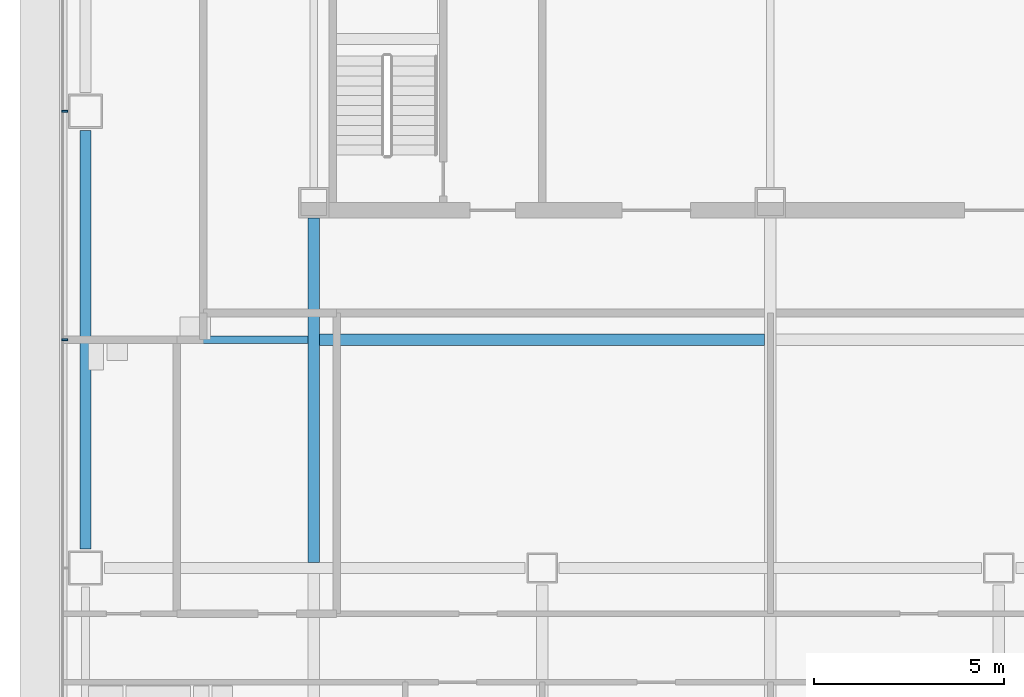
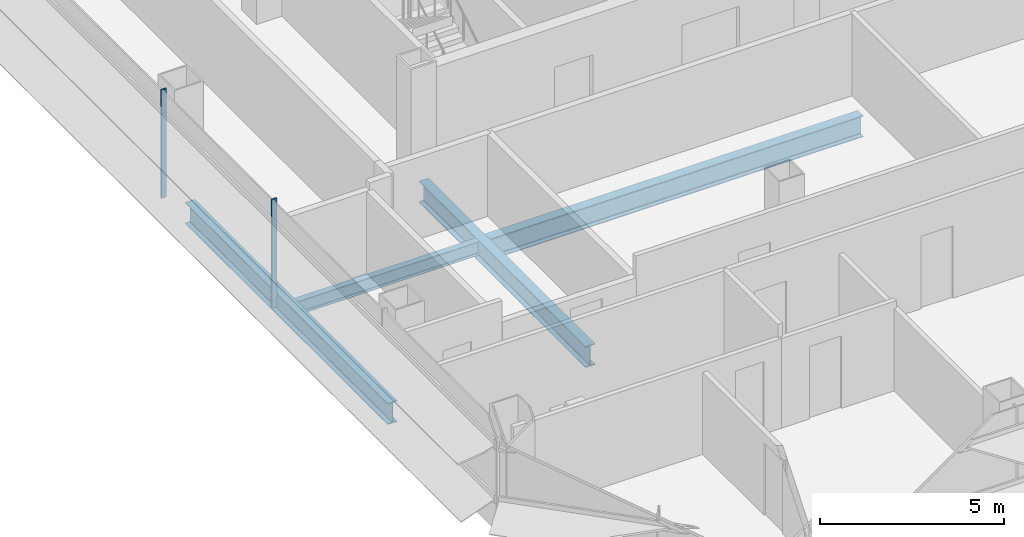
# One storey, part 4 of 27: 4 beams, 2 members, 1 element without a shape of its own.
"""IFC4 building model written with IfcOpenShell, lengths in metres."""

from ifc_helpers import new_model, si_unit, direction, frame, origin, origin_2d, place, context, subcontext, project, spatial, rectangle, i_section, extrude, material, material_profile, profile_set, type_object, element, aggregate, save


model = new_model("IFC4")

# Units and contexts
model_context = context("Model", 3, precision=1e-05, world=origin(), true_north=direction((0.0, 1.0)))
body_context = subcontext(model_context, "Body", "Model", "MODEL_VIEW")
ifc_project = project(units=[si_unit("LENGTHUNIT", "METRE"), si_unit("AREAUNIT", "SQUARE_METRE"), si_unit("VOLUMEUNIT", "CUBIC_METRE"), si_unit("PLANEANGLEUNIT", "RADIAN"), si_unit("MASSUNIT", "GRAM", prefix="KILO")], contexts=[model_context])

# Site, building, storey
site_placement = place(None, origin())
site = spatial("IfcSite", under=ifc_project, at=site_placement, CompositionType="ELEMENT")
building_placement = place(site_placement, origin())
building = spatial("IfcBuilding", under=site, at=building_placement, Name="Sorahane Residences", CompositionType="ELEMENT")
storey_placement = place(building_placement, frame((0.0, 0.0, 49.800048828125)))
storey = spatial("IfcBuildingStorey", under=building, at=storey_placement, Name="L08", CompositionType="ELEMENT", Elevation=49.800048828125)

# Curtain wall, members
ifc_material_1 = material(Name="Dark low-e glass and black anodised aluminium", Category="aluminium")
curtain_wall_type = type_object("IfcCurtainWallType", Name="Curtain wall CW-1 Typical unitised wall", PredefinedType="NOTDEFINED", material=ifc_material_1)
curtain_wall_placement = place(storey_placement, origin())
curtain_wall = element("IfcCurtainWall", 1, at=curtain_wall_placement, inside=storey, type_object=curtain_wall_type, Name="CW-1 curtain wall L08 W1", PredefinedType="NOTDEFINED")
ifc_material_2 = material(Name="Black anodised aluminium", Category="aluminium")
ifc_material_profile_1 = material_profile(ifc_material_2, rectangle(XDim=0.159912109375, YDim=0.050048828125, at=origin_2d()), Name="Curtain wall mullion CW-1 black anodised aluminium 50x160")
ifc_profile_set_1 = profile_set([ifc_material_profile_1], Name="Black anodised aluminium")
member_type = type_object("IfcMemberType", Name="Curtain wall mullion CW-1 black anodised aluminium 50x160", PredefinedType="MULLION", material=ifc_profile_set_1)
member_1_placement = place(storey_placement, frame((-0.5400390625, 24.0, -0.179931640625), z_axis=(0.0, 0.0, 1.0), x_axis=(-1.0, 0.0, 0.0)))
member_1 = element("IfcMember", 2, at=member_1_placement, type_object=member_type, Name="CW-1 mullion L08 W1.4", PredefinedType="MULLION", context=body_context, shape_type="SweptSolid", body=[
    extrude(rectangle(XDim=0.159912109375, YDim=0.050048828125, at=origin_2d()), origin(), (0.0, 0.0, 1.0), 3.599853515625),
])
member_2_placement = place(storey_placement, frame((-0.5400390625, 18.0, -0.179931640625), z_axis=(0.0, 0.0, 1.0), x_axis=(-1.0, 0.0, 0.0)))
member_2 = element("IfcMember", 3, at=member_2_placement, type_object=member_type, Name="CW-1 mullion L08 W1.5", PredefinedType="MULLION", context=body_context, shape_type="SweptSolid", body=[
    extrude(rectangle(XDim=0.159912109375, YDim=0.050048828125, at=origin_2d()), origin(), (0.0, 0.0, 1.0), 3.599853515625),
])
aggregate(curtain_wall, [member_1, member_2])

# Beams
ifc_material_3 = material(Name="Steel Q355B", Category="steel")
ifc_material_profile_2 = material_profile(ifc_material_3, i_section(OverallWidth=0.199951171875, OverallDepth=0.449951171875, WebThickness=0.009033203125, FlangeThickness=0.013916015625, FilletRadius=0.02001953125, at=origin_2d()), Name="HN 450x200x9x14")
ifc_profile_set_2 = profile_set([ifc_material_profile_2], Name="Steel Q355B")
beam_type_1 = type_object("IfcBeamType", Name="Steel floor beam HN 450x200x9x14 Q355B", PredefinedType="BEAM", material=ifc_profile_set_2)
beam_1_placement = place(storey_placement, frame((0.14990234375, 18.0, -0.405029296875), z_axis=(1.0, 0.0, 0.0), x_axis=(0.0, 1.0, 0.0)))
element("IfcBeam", 4, at=beam_1_placement, inside=storey, type_object=beam_type_1, Name="Beam L08 070", PredefinedType="BEAM", context=body_context, shape_type="SweptSolid", body=[
    extrude(i_section(OverallWidth=0.199951171875, OverallDepth=0.449951171875, WebThickness=0.009033203125, FlangeThickness=0.013916015625, FilletRadius=0.02001953125, at=origin_2d()), origin(), (0.0, 0.0, 1.0), 5.7001953125),
])
ifc_material_4 = material(Name="Steel Q355B", Category="steel")
ifc_material_profile_3 = material_profile(ifc_material_4, i_section(OverallWidth=0.300048828125, OverallDepth=0.699951171875, WebThickness=0.012939453125, FlangeThickness=0.02392578125, FilletRadius=0.028076171875, at=origin_2d()), Name="HN 700x300x13x24")
ifc_profile_set_3 = profile_set([ifc_material_profile_3], Name="Steel Q355B")
beam_type_2 = type_object("IfcBeamType", Name="Steel floor beam HN 700x300x13x24 Q355B", PredefinedType="BEAM", material=ifc_profile_set_3)
beam_2_placement = place(storey_placement, frame((0.0, 12.5, -0.530029296875), z_axis=(0.0, 1.0, 0.0), x_axis=(-1.0, 0.0, 0.0)))
element("IfcBeam", 5, at=beam_2_placement, inside=storey, type_object=beam_type_2, Name="Beam L08 018", PredefinedType="BEAM", context=body_context, shape_type="SweptSolid", body=[
    extrude(i_section(OverallWidth=0.300048828125, OverallDepth=0.699951171875, WebThickness=0.012939453125, FlangeThickness=0.02392578125, FilletRadius=0.028076171875, at=origin_2d()), origin(), (0.0, 0.0, 1.0), 11.0),
])
beam_3_placement = place(storey_placement, frame((6.0, 12.14990234375, -0.530029296875), z_axis=(0.0, 1.0, 0.0), x_axis=(-1.0, 0.0, 0.0)))
element("IfcBeam", 6, at=beam_3_placement, inside=storey, type_object=beam_type_2, Name="Beam L08 022", PredefinedType="BEAM", context=body_context, shape_type="SweptSolid", body=[
    extrude(i_section(OverallWidth=0.300048828125, OverallDepth=0.699951171875, WebThickness=0.012939453125, FlangeThickness=0.02392578125, FilletRadius=0.028076171875, at=origin_2d()), origin(), (0.0, 0.0, 1.0), 9.050048828125),
])
beam_4_placement = place(storey_placement, frame((6.14990234375, 18.0, -0.530029296875), z_axis=(1.0, 0.0, 0.0), x_axis=(0.0, 1.0, 0.0)))
element("IfcBeam", 7, at=beam_4_placement, inside=storey, type_object=beam_type_2, Name="Beam L08 071", PredefinedType="BEAM", context=body_context, shape_type="SweptSolid", body=[
    extrude(i_section(OverallWidth=0.300048828125, OverallDepth=0.699951171875, WebThickness=0.012939453125, FlangeThickness=0.02392578125, FilletRadius=0.028076171875, at=origin_2d()), origin(), (0.0, 0.0, 1.0), 11.7001953125),
])

save(model, "model.ifc")
